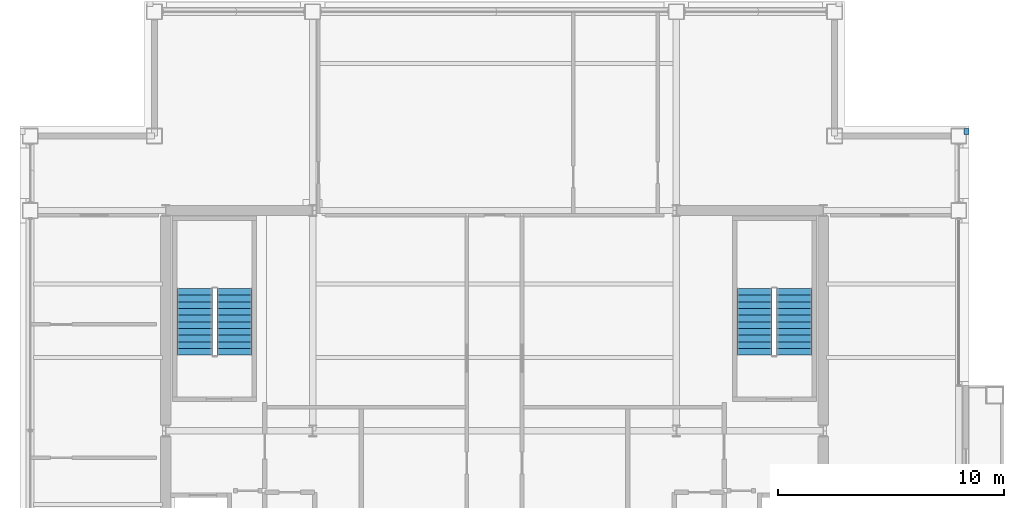
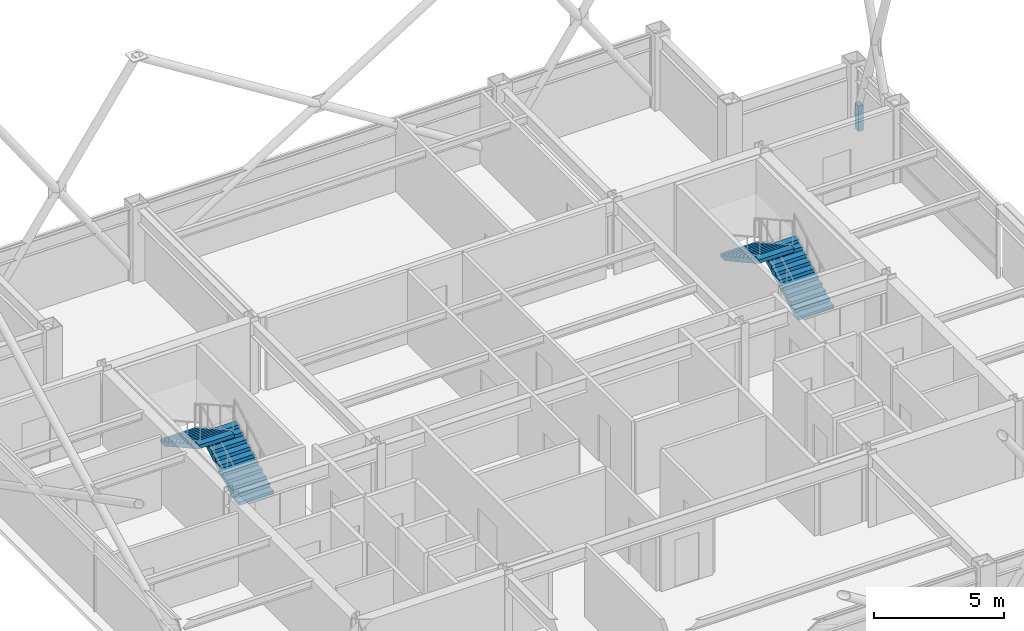
# One storey, part 31 of 33: 4 stair flights, 1 wall, 2 elements without a shape of their own.
"""IFC4 building model written with IfcOpenShell, lengths in metres."""

from ifc_helpers import new_model, si_unit, direction, frame, frame_2d, origin, place, context, subcontext, project, spatial, polyline, rectangle, outline, extrude, material, layer, layer_set, type_object, element, aggregate, save


model = new_model("IFC4")

# Units and contexts
model_context = context("Model", 3, precision=1e-05, world=origin(), true_north=direction((0.0, 1.0)))
body_context = subcontext(model_context, "Body", "Model", "MODEL_VIEW")
ifc_project = project(units=[si_unit("LENGTHUNIT", "METRE"), si_unit("AREAUNIT", "SQUARE_METRE"), si_unit("VOLUMEUNIT", "CUBIC_METRE"), si_unit("PLANEANGLEUNIT", "RADIAN"), si_unit("MASSUNIT", "GRAM", prefix="KILO")], contexts=[model_context])

# Site, building, storey
site_placement = place(None, origin())
site = spatial("IfcSite", under=ifc_project, at=site_placement, CompositionType="ELEMENT")
building_placement = place(site_placement, origin())
building = spatial("IfcBuilding", under=site, at=building_placement, Name="Brelmoor Portico Tower", CompositionType="ELEMENT")
storey_placement = place(building_placement, frame((0.0, 0.0, 194.699951171875)))
storey = spatial("IfcBuildingStorey", under=building, at=storey_placement, Name="L51", CompositionType="ELEMENT", Elevation=194.699951171875)

# Wall
ifc_material_1 = material(Name="Concrete C40 Parapet Upstand", Category="concrete")
ifc_layer = layer(ifc_material_1, 0.219970703125)
ifc_layer_set = layer_set([ifc_layer], Name="Concrete C40 Parapet Upstand")
wall_type = type_object("IfcWallType", Name="WL-PARAPET-220", PredefinedType="PARAPET", material=ifc_layer_set)
wall_placement = place(storey_placement, frame((20.889892578125, 13.1201171875, 0.0), z_axis=(0.0, 0.0, 1.0), x_axis=(0.0, 1.0, 0.0)))
element("IfcWall", 1, at=wall_placement, inside=storey, type_object=wall_type, Name="L51 Chamfer Vertex Parapet Pier NE2", PredefinedType="PARAPET", context=body_context, shape_type="SweptSolid", body=[
    extrude(rectangle(XDim=0.269775390625, YDim=0.219970703125, at=frame_2d((0.134765625, 0.0))), origin(), (0.0, 0.0, 1.0), 1.199951171875),
])

# Stair, stair flights
ifc_material_2 = material(Name="Concrete C40", Category="concrete")
stair_type_1 = type_object("IfcStairType", Name="ST-CORE-W", PredefinedType="HALF_TURN_STAIR", material=ifc_material_2)
stair_1_placement = place(storey_placement, origin())
stair_1 = element("IfcStair", 2, at=stair_1_placement, inside=storey, type_object=stair_type_1, Name="L51 Protected Core Exit Stair ST-W", PredefinedType="HALF_TURN_STAIR")
stair_flight_type = type_object("IfcStairFlightType", Name="SF-CORE-1850", PredefinedType="STRAIGHT", material=ifc_material_2)
stair_flight_1_placement = place(storey_placement, frame((-11.510009765625, 3.35009765625, 0.0), z_axis=(0.0, 0.0, 1.0), x_axis=(0.0, 1.0, 0.0)))
stair_flight_1 = element("IfcStairFlight", 3, at=stair_flight_1_placement, type_object=stair_flight_type, Name="ST-W flight 1", NumberOfRisers=11, NumberOfTreads=10, PredefinedType="STRAIGHT", RiserHeight=0.163636364, TreadLength=0.295, context=body_context, shape_type="SweptSolid", body=[
    extrude(outline(polyline([(0.0, 0.0), (0.0, 0.16357421875), (0.294921875, 0.16357421875), (0.294921875, 0.327392578125), (0.590087890625, 0.327392578125), (0.590087890625, 0.490966796875), (0.885009765625, 0.490966796875), (0.885009765625, 0.654541015625), (1.179931640625, 0.654541015625), (1.179931640625, 0.818115234375), (1.47509765625, 0.818115234375), (1.47509765625, 0.98193359375), (1.77001953125, 0.98193359375), (1.77001953125, 1.1455078125), (2.06494140625, 1.1455078125), (2.06494140625, 1.30908203125), (2.360107421875, 1.30908203125), (2.360107421875, 1.47265625), (2.655029296875, 1.47265625), (2.655029296875, 1.636474609375), (2.949951171875, 1.636474609375), (2.949951171875, 1.800048828125), (2.949951171875, 1.46484375), (0.30908203125, 0.0), (0.0, 0.0)])), frame((0.0, 0.780029296875, 0.0), z_axis=(0.0, -1.0, 0.0), x_axis=(1.0, 0.0, 0.0)), (0.0, 0.0, 1.0), 1.56005859375),
])
stair_flight_2_placement = place(storey_placement, frame((-13.27001953125, 6.300048828125, 1.800048828125), z_axis=(0.0, 0.0, 1.0), x_axis=(0.0, -1.0, 0.0)))
stair_flight_2 = element("IfcStairFlight", 4, at=stair_flight_2_placement, type_object=stair_flight_type, Name="ST-W flight 2", NumberOfRisers=11, NumberOfTreads=10, PredefinedType="STRAIGHT", RiserHeight=0.163636364, TreadLength=0.295, context=body_context, shape_type="SweptSolid", body=[
    extrude(outline(polyline([(0.0, 0.0), (0.0, 0.16357421875), (0.294921875, 0.16357421875), (0.294921875, 0.327392578125), (0.590087890625, 0.327392578125), (0.590087890625, 0.490966796875), (0.885009765625, 0.490966796875), (0.885009765625, 0.654541015625), (1.179931640625, 0.654541015625), (1.179931640625, 0.818115234375), (1.47509765625, 0.818115234375), (1.47509765625, 0.98193359375), (1.77001953125, 0.98193359375), (1.77001953125, 1.1455078125), (2.06494140625, 1.1455078125), (2.06494140625, 1.30908203125), (2.360107421875, 1.30908203125), (2.360107421875, 1.47265625), (2.655029296875, 1.47265625), (2.655029296875, 1.636474609375), (2.949951171875, 1.636474609375), (2.949951171875, 1.800048828125), (2.949951171875, 1.46484375), (0.30908203125, 0.0), (0.0, 0.0)])), frame((0.0, 0.780029296875, 0.0), z_axis=(0.0, -1.0, 0.0), x_axis=(1.0, 0.0, 0.0)), (0.0, 0.0, 1.0), 1.56005859375),
])
aggregate(stair_1, [stair_flight_1, stair_flight_2])

stair_type_2 = type_object("IfcStairType", Name="ST-CORE-E", PredefinedType="HALF_TURN_STAIR", material=ifc_material_2)
stair_2_placement = place(storey_placement, origin())
stair_2 = element("IfcStair", 5, at=stair_2_placement, inside=storey, type_object=stair_type_2, Name="L51 Protected Core Exit Stair ST-E", PredefinedType="HALF_TURN_STAIR")
stair_flight_3_placement = place(storey_placement, frame((13.27001953125, 3.35009765625, 0.0), z_axis=(0.0, 0.0, 1.0), x_axis=(0.0, 1.0, 0.0)))
stair_flight_3 = element("IfcStairFlight", 6, at=stair_flight_3_placement, type_object=stair_flight_type, Name="ST-E flight 1", NumberOfRisers=11, NumberOfTreads=10, PredefinedType="STRAIGHT", RiserHeight=0.163636364, TreadLength=0.295, context=body_context, shape_type="SweptSolid", body=[
    extrude(outline(polyline([(0.0, 0.0), (0.0, 0.16357421875), (0.294921875, 0.16357421875), (0.294921875, 0.327392578125), (0.590087890625, 0.327392578125), (0.590087890625, 0.490966796875), (0.885009765625, 0.490966796875), (0.885009765625, 0.654541015625), (1.179931640625, 0.654541015625), (1.179931640625, 0.818115234375), (1.47509765625, 0.818115234375), (1.47509765625, 0.98193359375), (1.77001953125, 0.98193359375), (1.77001953125, 1.1455078125), (2.06494140625, 1.1455078125), (2.06494140625, 1.30908203125), (2.360107421875, 1.30908203125), (2.360107421875, 1.47265625), (2.655029296875, 1.47265625), (2.655029296875, 1.636474609375), (2.949951171875, 1.636474609375), (2.949951171875, 1.800048828125), (2.949951171875, 1.46484375), (0.30908203125, 0.0), (0.0, 0.0)])), frame((0.0, 0.780029296875, 0.0), z_axis=(0.0, -1.0, 0.0), x_axis=(1.0, 0.0, 0.0)), (0.0, 0.0, 1.0), 1.56005859375),
])
stair_flight_4_placement = place(storey_placement, frame((11.510009765625, 6.300048828125, 1.800048828125), z_axis=(0.0, 0.0, 1.0), x_axis=(0.0, -1.0, 0.0)))
stair_flight_4 = element("IfcStairFlight", 7, at=stair_flight_4_placement, type_object=stair_flight_type, Name="ST-E flight 2", NumberOfRisers=11, NumberOfTreads=10, PredefinedType="STRAIGHT", RiserHeight=0.163636364, TreadLength=0.295, context=body_context, shape_type="SweptSolid", body=[
    extrude(outline(polyline([(0.0, 0.0), (0.0, 0.16357421875), (0.294921875, 0.16357421875), (0.294921875, 0.327392578125), (0.590087890625, 0.327392578125), (0.590087890625, 0.490966796875), (0.885009765625, 0.490966796875), (0.885009765625, 0.654541015625), (1.179931640625, 0.654541015625), (1.179931640625, 0.818115234375), (1.47509765625, 0.818115234375), (1.47509765625, 0.98193359375), (1.77001953125, 0.98193359375), (1.77001953125, 1.1455078125), (2.06494140625, 1.1455078125), (2.06494140625, 1.30908203125), (2.360107421875, 1.30908203125), (2.360107421875, 1.47265625), (2.655029296875, 1.47265625), (2.655029296875, 1.636474609375), (2.949951171875, 1.636474609375), (2.949951171875, 1.800048828125), (2.949951171875, 1.46484375), (0.30908203125, 0.0), (0.0, 0.0)])), frame((0.0, 0.780029296875, 0.0), z_axis=(0.0, -1.0, 0.0), x_axis=(1.0, 0.0, 0.0)), (0.0, 0.0, 1.0), 1.56005859375),
])
aggregate(stair_2, [stair_flight_3, stair_flight_4])

save(model, "model.ifc")
